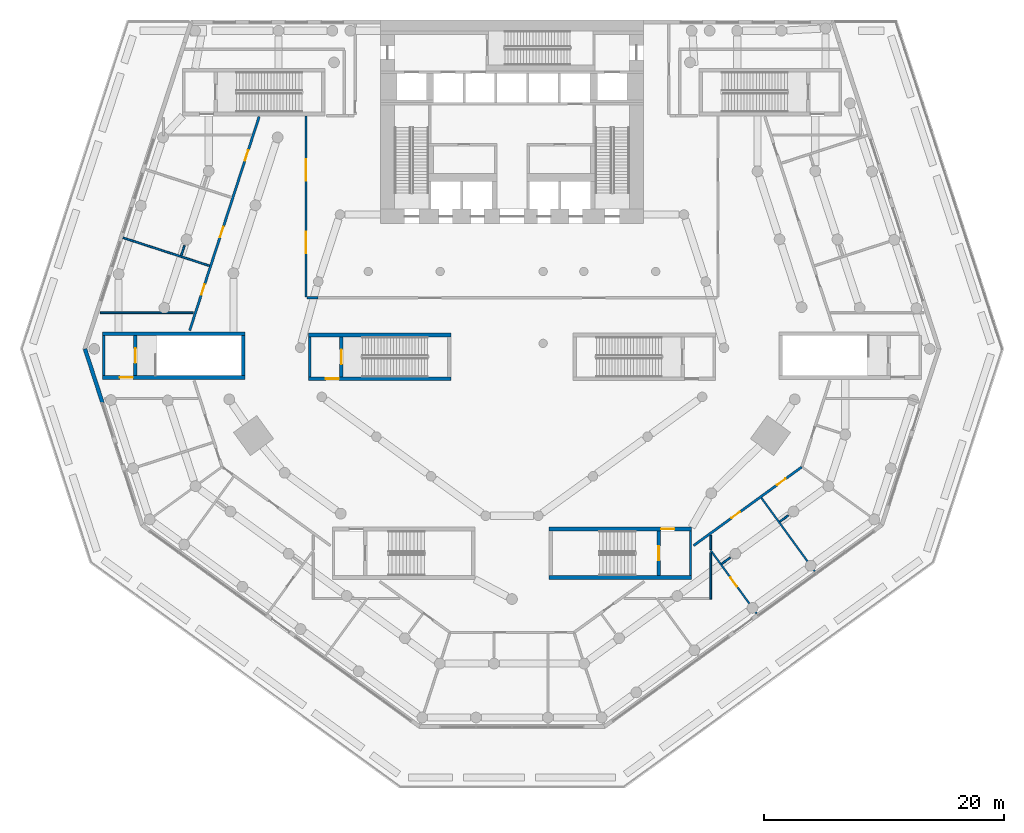
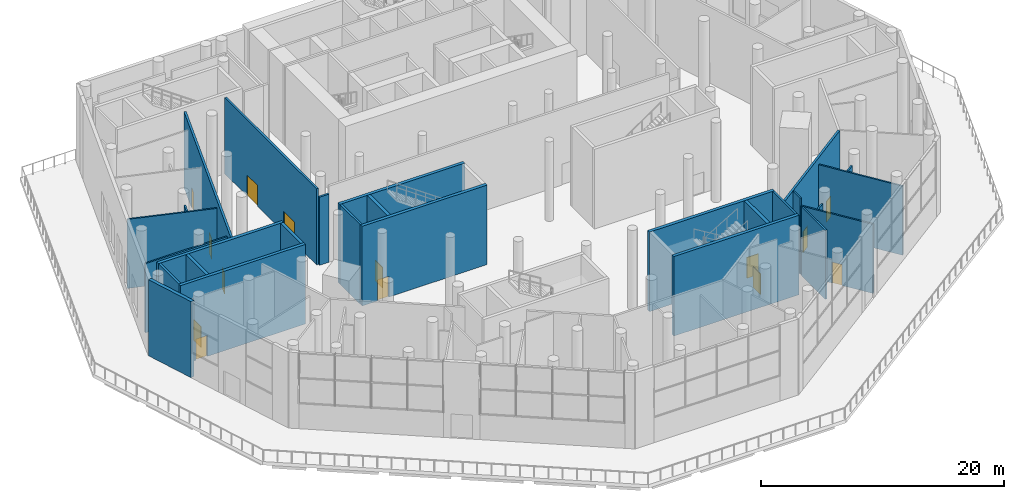
# One storey, part 12 of 23: 27 walls, 14 doors, 14 openings.
"""IFC4 building model written with IfcOpenShell, lengths in metres."""

from ifc_helpers import new_model, si_unit, direction, frame, frame_2d, origin, place, context, subcontext, project, spatial, rectangle, extrude, material, layer, layer_set, type_object, element, fill, save


model = new_model("IFC4")

# Units and contexts
model_context = context("Model", 3, precision=1e-05, world=origin(), true_north=direction((0.0, 1.0)))
body_context = subcontext(model_context, "Body", "Model", "MODEL_VIEW")
ifc_project = project(units=[si_unit("LENGTHUNIT", "METRE"), si_unit("AREAUNIT", "SQUARE_METRE"), si_unit("VOLUMEUNIT", "CUBIC_METRE"), si_unit("PLANEANGLEUNIT", "RADIAN"), si_unit("MASSUNIT", "GRAM", prefix="KILO")], contexts=[model_context])

# Site, building, storey
site_placement = place(None, origin())
site = spatial("IfcSite", under=ifc_project, at=site_placement, CompositionType="ELEMENT")
building_placement = place(site_placement, origin())
building = spatial("IfcBuilding", under=site, at=building_placement, Name="White Candle Pilgrim Tower", CompositionType="ELEMENT")
storey_placement = place(building_placement, frame((0.0, 0.0, 15.0)))
storey = spatial("IfcBuildingStorey", under=building, at=storey_placement, Name="L02", CompositionType="ELEMENT", Elevation=15.0)

# Wall
ifc_material_1 = material(Name="Autoclaved aerated block D500, plastered")
ifc_layer_1 = layer(ifc_material_1, 0.199951171875)
ifc_layer_set_1 = layer_set([ifc_layer_1], Name="Compartment wall 200 mm REI 240")
wall_type_1 = type_object("IfcWallType", Name="Compartment wall 200 mm REI 240", PredefinedType="PARTITIONING", material=ifc_layer_set_1)
wall_1_placement = place(storey_placement, frame((53.800048828125, 64.800048828125, 0.0), z_axis=(0.0, 0.0, 1.0), x_axis=(-1.0, 0.0, 0.0)))
element("IfcWall", 1, at=wall_1_placement, inside=storey, type_object=wall_type_1, Name="WL-L02-P032b", PredefinedType="PARTITIONING", context=body_context, shape_type="SweptSolid", body=[
    extrude(rectangle(XDim=0.900146484375, YDim=0.199951171875, at=frame_2d((0.4501953125, 0.0))), origin(), (0.0, 0.0, 1.0), 6.85009765625),
])

# Wall, openings, doors
wall_2_placement = place(storey_placement, frame((52.800048828125, 64.875, 0.0), z_axis=(0.0, 0.0, 1.0), x_axis=(0.0, 1.0, 0.0)))
wall_2 = element("IfcWall", 2, at=wall_2_placement, inside=storey, type_object=wall_type_1, Name="WL-L02-P033", PredefinedType="PARTITIONING", context=body_context, shape_type="SweptSolid", body=[
    extrude(rectangle(XDim=15.125, YDim=0.199951171875, at=frame_2d((7.5625, 0.0))), origin(), (0.0, 0.0, 1.0), 7.64990234375),
])
opening_1_placement = place(wall_2_placement, frame((3.637451171875, 0.0, 0.0)))
opening_1 = element("IfcOpeningElement", 3, at=opening_1_placement, cuts=wall_2, Name="Opening L02-122", PredefinedType="OPENING", context=body_context, shape_type="SweptSolid", body=[
    extrude(rectangle(XDim=1.800048828125, YDim=2.10009765625, at=frame_2d((0.89990234375, 1.050048828125))), frame((0.0, 0.10986328125, 0.0), z_axis=(0.0, -1.0, 0.0), x_axis=(1.0, 0.0, 0.0)), (0.0, 0.0, 1.0), 0.219970703125),
])
opening_2_placement = place(wall_2_placement, frame((9.6875, 0.0, 0.0)))
opening_2 = element("IfcOpeningElement", 4, at=opening_2_placement, cuts=wall_2, Name="Opening L02-123", PredefinedType="OPENING", context=body_context, shape_type="SweptSolid", body=[
    extrude(rectangle(XDim=1.800048828125, YDim=2.10009765625, at=frame_2d((0.89990234375, 1.050048828125))), frame((0.0, 0.10986328125, 0.0), z_axis=(0.0, -1.0, 0.0), x_axis=(1.0, 0.0, 0.0)), (0.0, 0.0, 1.0), 0.219970703125),
])
ifc_material_2 = material(Name="Steel door leaf", Category="steel")
door_type_1 = type_object("IfcDoorType", Name="Compartment door 1800 x 2100 EI 60", OperationType="NOTDEFINED", PredefinedType="DOOR", material=ifc_material_2)
door_1_placement = place(opening_1_placement, origin())
door_1 = element("IfcDoor", 5, at=door_1_placement, inside=storey, type_object=door_type_1, Name="Door L02-122", OperationType="DOUBLE_DOOR_SINGLE_SWING", OverallHeight=2.10009765625, OverallWidth=1.800048828125, PredefinedType="DOOR", context=body_context, shape_type="SweptSolid", body=[
    extrude(rectangle(XDim=1.800048828125, YDim=2.10009765625, at=frame_2d((0.89990234375, 1.050048828125))), frame((0.0, 0.02490234375, 0.0), z_axis=(0.0, -1.0, 0.0), x_axis=(1.0, 0.0, 0.0)), (0.0, 0.0, 1.0), 0.050048828125),
])
fill(opening_1, door_1)
door_2_placement = place(opening_2_placement, origin())
door_2 = element("IfcDoor", 6, at=door_2_placement, inside=storey, type_object=door_type_1, Name="Door L02-123", OperationType="DOUBLE_DOOR_SINGLE_SWING", OverallHeight=2.10009765625, OverallWidth=1.800048828125, PredefinedType="DOOR", context=body_context, shape_type="SweptSolid", body=[
    extrude(rectangle(XDim=1.800048828125, YDim=2.10009765625, at=frame_2d((0.89990234375, 1.050048828125))), frame((0.0, 0.02490234375, 0.0), z_axis=(0.0, -1.0, 0.0), x_axis=(1.0, 0.0, 0.0)), (0.0, 0.0, 1.0), 0.050048828125),
])
fill(opening_2, door_2)

# Walls
ifc_material_3 = material(Name="Concrete C70/85", Category="concrete")
ifc_layer_2 = layer(ifc_material_3, 0.199951171875)
ifc_layer_set_2 = layer_set([ifc_layer_2], Name="Core wall 200 mm Concrete C70/85")
wall_type_2 = type_object("IfcWallType", Name="Core wall 200 mm Concrete C70/85", PredefinedType="SHEAR", material=ifc_layer_set_2)
wall_3_placement = place(storey_placement, frame((84.89990234375, 41.60009765625, 0.0), z_axis=(0.0, 0.0, 1.0), x_axis=(0.0, 1.0, 0.0)))
element("IfcWall", 7, at=wall_3_placement, inside=storey, type_object=wall_type_2, Name="WL-L02-C08", PredefinedType="SHEAR", context=body_context, shape_type="SweptSolid", body=[
    extrude(rectangle(XDim=3.75, YDim=0.199951171875, at=frame_2d((1.875, 0.0))), origin(), (0.0, 0.0, 1.0), 8.0),
])
wall_4_placement = place(storey_placement, frame((53.10009765625, 58.199951171875, 0.0), z_axis=(0.0, 0.0, 1.0), x_axis=(0.0, 1.0, 0.0)))
element("IfcWall", 8, at=wall_4_placement, inside=storey, type_object=wall_type_2, Name="WL-L02-C15", PredefinedType="SHEAR", context=body_context, shape_type="SweptSolid", body=[
    extrude(rectangle(XDim=3.35009765625, YDim=0.199951171875, at=frame_2d((1.675048828125, 0.0))), origin(), (0.0, 0.0, 1.0), 8.0),
])
wall_5_placement = place(storey_placement, frame((35.89990234375, 58.300048828125, 0.0), z_axis=(0.0, 0.0, 1.0), x_axis=(0.0, 1.0, 0.0)))
element("IfcWall", 9, at=wall_5_placement, inside=storey, type_object=wall_type_2, Name="WL-L02-C21", PredefinedType="SHEAR", context=body_context, shape_type="SweptSolid", body=[
    extrude(rectangle(XDim=3.349853515625, YDim=0.199951171875, at=frame_2d((1.6748046875, 0.0))), origin(), (0.0, 0.0, 1.0), 8.0),
])
ifc_material_4 = material(Name="Precast concrete C40/50", Category="concrete")
ifc_layer_3 = layer(ifc_material_4, 0.320068359375)
ifc_layer_set_3 = layer_set([ifc_layer_3], Name="Facade wall EW3 precast concrete C40/50 and stone-faced podium wall")
wall_type_3 = type_object("IfcWallType", Name="Facade wall EW3 precast concrete C40/50 and stone-faced podium wall", PredefinedType="SOLIDWALL", material=ifc_layer_set_3)
wall_6_placement = place(storey_placement, frame((34.345458984375, 60.5390625, 0.0), z_axis=(0.0, 0.0, 1.0), x_axis=(0.309012484204, -0.951057981727, 0.0)))
element("IfcWall", 10, at=wall_6_placement, inside=storey, type_object=wall_type_3, Name="Facade wall L02 W chamfer", PredefinedType="SOLIDWALL", context=body_context, shape_type="SweptSolid", body=[
    extrude(rectangle(XDim=4.72607421875, YDim=0.320068359375, at=frame_2d((2.363037109375, 0.0))), origin(), (0.0, 0.0, 1.0), 7.64990234375),
])

# Wall, openings, doors
ifc_layer_4 = layer(ifc_material_1, 0.199951171875)
ifc_layer_set_4 = layer_set([ifc_layer_4], Name="Hall enclosure wall 200 mm REI 240")
wall_type_4 = type_object("IfcWallType", Name="Hall enclosure wall 200 mm REI 240", PredefinedType="PARTITIONING", material=ifc_layer_set_4)
wall_7_placement = place(storey_placement, frame((43.08984375, 62.080810546875, 0.0), z_axis=(0.0, 0.0, 1.0), x_axis=(0.309014892187, 0.951057199335, 0.0)))
wall_7 = element("IfcWall", 11, at=wall_7_placement, inside=storey, type_object=wall_type_4, Name="WL-L02-P004", PredefinedType="PARTITIONING", context=body_context, shape_type="SweptSolid", body=[
    extrude(rectangle(XDim=18.768798828125, YDim=0.199951171875, at=frame_2d((9.38427734375, 0.0))), origin(), (0.0, 0.0, 1.0), 7.64990234375),
])
opening_3_placement = place(wall_7_placement, frame((14.92578125, 0.0, 0.0)))
opening_3 = element("IfcOpeningElement", 12, at=opening_3_placement, cuts=wall_7, Name="Opening L02-101", PredefinedType="OPENING", context=body_context, shape_type="SweptSolid", body=[
    extrude(rectangle(XDim=0.89990234375, YDim=2.10009765625, at=frame_2d((0.449951171875, 1.050048828125))), frame((0.0, 0.10986328125, 0.0), z_axis=(0.0, -1.0, 0.0), x_axis=(1.0, 0.0, 0.0)), (0.0, 0.0, 1.0), 0.219970703125),
])
opening_4_placement = place(wall_7_placement, frame((8.19091796875, 0.0, 0.0)))
opening_4 = element("IfcOpeningElement", 13, at=opening_4_placement, cuts=wall_7, Name="Opening L02-102", PredefinedType="OPENING", context=body_context, shape_type="SweptSolid", body=[
    extrude(rectangle(XDim=0.89990234375, YDim=2.10009765625, at=frame_2d((0.449951171875, 1.050048828125))), frame((0.0, 0.10986328125, 0.0), z_axis=(0.0, -1.0, 0.0), x_axis=(1.0, 0.0, 0.0)), (0.0, 0.0, 1.0), 0.219970703125),
])
opening_5_placement = place(wall_7_placement, frame((3.142578125, 0.0, 0.0)))
opening_5 = element("IfcOpeningElement", 14, at=opening_5_placement, cuts=wall_7, Name="Opening L02-103", PredefinedType="OPENING", context=body_context, shape_type="SweptSolid", body=[
    extrude(rectangle(XDim=0.89990234375, YDim=2.10009765625, at=frame_2d((0.449951171875, 1.050048828125))), frame((0.0, 0.10986328125, 0.0), z_axis=(0.0, -1.0, 0.0), x_axis=(1.0, 0.0, 0.0)), (0.0, 0.0, 1.0), 0.219970703125),
])
door_type_2 = type_object("IfcDoorType", Name="Fire door 900 x 2100 EI 60", OperationType="NOTDEFINED", PredefinedType="DOOR", material=ifc_material_2)
door_3_placement = place(opening_3_placement, origin())
door_3 = element("IfcDoor", 15, at=door_3_placement, inside=storey, type_object=door_type_2, Name="Door L02-101", OperationType="SINGLE_SWING_LEFT", OverallHeight=2.10009765625, OverallWidth=0.89990234375, PredefinedType="DOOR", context=body_context, shape_type="SweptSolid", body=[
    extrude(rectangle(XDim=0.89990234375, YDim=2.10009765625, at=frame_2d((0.449951171875, 1.050048828125))), frame((0.0, 0.02490234375, 0.0), z_axis=(0.0, -1.0, 0.0), x_axis=(1.0, 0.0, 0.0)), (0.0, 0.0, 1.0), 0.050048828125),
])
fill(opening_3, door_3)
door_4_placement = place(opening_4_placement, origin())
door_4 = element("IfcDoor", 16, at=door_4_placement, inside=storey, type_object=door_type_2, Name="Door L02-102", OperationType="SINGLE_SWING_RIGHT", OverallHeight=2.10009765625, OverallWidth=0.89990234375, PredefinedType="DOOR", context=body_context, shape_type="SweptSolid", body=[
    extrude(rectangle(XDim=0.89990234375, YDim=2.10009765625, at=frame_2d((0.449951171875, 1.050048828125))), frame((0.0, 0.02490234375, 0.0), z_axis=(0.0, -1.0, 0.0), x_axis=(1.0, 0.0, 0.0)), (0.0, 0.0, 1.0), 0.050048828125),
])
fill(opening_4, door_4)
door_5_placement = place(opening_5_placement, origin())
door_5 = element("IfcDoor", 17, at=door_5_placement, inside=storey, type_object=door_type_2, Name="Door L02-103", OperationType="SINGLE_SWING_LEFT", OverallHeight=2.10009765625, OverallWidth=0.89990234375, PredefinedType="DOOR", context=body_context, shape_type="SweptSolid", body=[
    extrude(rectangle(XDim=0.89990234375, YDim=2.10009765625, at=frame_2d((0.449951171875, 1.050048828125))), frame((0.0, 0.02490234375, 0.0), z_axis=(0.0, -1.0, 0.0), x_axis=(1.0, 0.0, 0.0)), (0.0, 0.0, 1.0), 0.050048828125),
])
fill(opening_5, door_5)

wall_8_placement = place(storey_placement, frame((94.18408203125, 50.6689453125, 0.0), z_axis=(0.0, 0.0, 1.0), x_axis=(-0.809025571226, -0.587773447089, 0.0)))
wall_8 = element("IfcWall", 18, at=wall_8_placement, inside=storey, type_object=wall_type_4, Name="WL-L02-P011", PredefinedType="PARTITIONING", context=body_context, shape_type="SweptSolid", body=[
    extrude(rectangle(XDim=11.15576171875, YDim=0.199951171875, at=frame_2d((5.577880859375, 0.0))), origin(), (0.0, 0.0, 1.0), 7.64990234375),
])
opening_6_placement = place(wall_8_placement, frame((6.35205078125, 0.0, 0.0)))
opening_6 = element("IfcOpeningElement", 19, at=opening_6_placement, cuts=wall_8, Name="Opening L02-112", PredefinedType="OPENING", context=body_context, shape_type="SweptSolid", body=[
    extrude(rectangle(XDim=0.89990234375, YDim=2.10009765625, at=frame_2d((0.449951171875, 1.050048828125))), frame((0.0, 0.10986328125, 0.0), z_axis=(0.0, -1.0, 0.0), x_axis=(1.0, 0.0, 0.0)), (0.0, 0.0, 1.0), 0.219970703125),
])
opening_7_placement = place(wall_8_placement, frame((1.648681640625, 0.0, 0.0)))
opening_7 = element("IfcOpeningElement", 20, at=opening_7_placement, cuts=wall_8, Name="Opening L02-113", PredefinedType="OPENING", context=body_context, shape_type="SweptSolid", body=[
    extrude(rectangle(XDim=0.89990234375, YDim=2.10009765625, at=frame_2d((0.449951171875, 1.050048828125))), frame((0.0, 0.10986328125, 0.0), z_axis=(0.0, -1.0, 0.0), x_axis=(1.0, 0.0, 0.0)), (0.0, 0.0, 1.0), 0.219970703125),
])
door_6_placement = place(opening_6_placement, origin())
door_6 = element("IfcDoor", 21, at=door_6_placement, inside=storey, type_object=door_type_2, Name="Door L02-112", OperationType="SINGLE_SWING_RIGHT", OverallHeight=2.10009765625, OverallWidth=0.89990234375, PredefinedType="DOOR", context=body_context, shape_type="SweptSolid", body=[
    extrude(rectangle(XDim=0.89990234375, YDim=2.10009765625, at=frame_2d((0.449951171875, 1.050048828125))), frame((0.0, 0.02490234375, 0.0), z_axis=(0.0, -1.0, 0.0), x_axis=(1.0, 0.0, 0.0)), (0.0, 0.0, 1.0), 0.050048828125),
])
fill(opening_6, door_6)
door_7_placement = place(opening_7_placement, origin())
door_7 = element("IfcDoor", 22, at=door_7_placement, inside=storey, type_object=door_type_2, Name="Door L02-113", OperationType="SINGLE_SWING_LEFT", OverallHeight=2.10009765625, OverallWidth=0.89990234375, PredefinedType="DOOR", context=body_context, shape_type="SweptSolid", body=[
    extrude(rectangle(XDim=0.89990234375, YDim=2.10009765625, at=frame_2d((0.449951171875, 1.050048828125))), frame((0.0, 0.02490234375, 0.0), z_axis=(0.0, -1.0, 0.0), x_axis=(1.0, 0.0, 0.0)), (0.0, 0.0, 1.0), 0.050048828125),
])
fill(opening_7, door_7)

# Wall
ifc_material_5 = material(Name="Gypsum board on steel studs", Category="steel")
ifc_layer_5 = layer(ifc_material_5, 0.14990234375)
ifc_layer_set_5 = layer_set([ifc_layer_5], Name="Partition 150 mm EI 60")
wall_type_5 = type_object("IfcWallType", Name="Partition 150 mm EI 60", PredefinedType="PARTITIONING", material=ifc_layer_set_5)
wall_9_placement = place(storey_placement, frame((37.52880859375, 69.81884765625, 0.0), z_axis=(0.0, 0.0, 1.0), x_axis=(0.951058681979, -0.309010329007, 0.0)))
element("IfcWall", 23, at=wall_9_placement, inside=storey, type_object=wall_type_5, Name="WL-L02-P019", PredefinedType="PARTITIONING", context=body_context, shape_type="SweptSolid", body=[
    extrude(rectangle(XDim=7.580078125, YDim=0.14990234375, at=frame_2d((3.7900390625, 0.0))), origin(), (0.0, 0.0, 1.0), 6.949951171875),
])

# Wall, opening, door
wall_10_placement = place(storey_placement, frame((90.42236328125, 38.443115234375, 0.0), z_axis=(0.0, 0.0, 1.0), x_axis=(-0.587778742149, 0.809021724231, 0.0)))
wall_10 = element("IfcWall", 24, at=wall_10_placement, inside=storey, type_object=wall_type_5, Name="WL-L02-P026", PredefinedType="PARTITIONING", context=body_context, shape_type="SweptSolid", body=[
    extrude(rectangle(XDim=6.5029296875, YDim=0.14990234375, at=frame_2d((3.25146484375, 0.0))), origin(), (0.0, 0.0, 1.0), 6.949951171875),
])
opening_8_placement = place(wall_10_placement, frame((2.801513671875, 0.0, 0.0)))
opening_8 = element("IfcOpeningElement", 25, at=opening_8_placement, cuts=wall_10, Name="Opening L02-127", PredefinedType="OPENING", context=body_context, shape_type="SweptSolid", body=[
    extrude(rectangle(XDim=0.89990234375, YDim=2.10009765625, at=frame_2d((0.449951171875, 1.050048828125))), frame((0.0, 0.0849609375, 0.0), z_axis=(0.0, -1.0, 0.0), x_axis=(1.0, 0.0, 0.0)), (0.0, 0.0, 1.0), 0.169921875),
])
door_type_3 = type_object("IfcDoorType", Name="Fire door 900 x 2100 EI 30", OperationType="NOTDEFINED", PredefinedType="DOOR", material=ifc_material_2)
door_8_placement = place(opening_8_placement, origin())
door_8 = element("IfcDoor", 26, at=door_8_placement, inside=storey, type_object=door_type_3, Name="Door L02-127", OperationType="SINGLE_SWING_LEFT", OverallHeight=2.10009765625, OverallWidth=0.89990234375, PredefinedType="DOOR", context=body_context, shape_type="SweptSolid", body=[
    extrude(rectangle(XDim=0.89990234375, YDim=2.10009765625, at=frame_2d((0.449951171875, 1.050048828125))), frame((0.0, 0.02490234375, 0.0), z_axis=(0.0, -1.0, 0.0), x_axis=(1.0, 0.0, 0.0)), (0.0, 0.0, 1.0), 0.050048828125),
])
fill(opening_8, door_8)

# Walls
wall_11_placement = place(storey_placement, frame((95.2763671875, 41.9697265625, 0.0), z_axis=(0.0, 0.0, 1.0), x_axis=(-0.587779028788, 0.809021515979, 0.0)))
element("IfcWall", 27, at=wall_11_placement, inside=storey, type_object=wall_type_5, Name="WL-L02-P027", PredefinedType="PARTITIONING", context=body_context, shape_type="SweptSolid", body=[
    extrude(rectangle(XDim=7.579833984375, YDim=0.14990234375, at=frame_2d((3.7900390625, 0.0))), origin(), (0.0, 0.0, 1.0), 6.949951171875),
])
for number, where, z_axis, x_axis, name in (
    (28, (88.219970703125, 43.107421875, 0.0), (0.0, 0.0, 1.0), (-0.809141502874, -0.587613842865, 0.0), "WL-L02-P039"),
    (29, (93.073974609375, 46.634521484375, 0.0), (0.0, 0.0, 1.0), (-0.809010335679, -0.587794417092, 0.0), "WL-L02-P040"),
):
    element("IfcWall", number, at=place(storey_placement, frame(where, z_axis=z_axis, x_axis=x_axis)), inside=storey, type_object=wall_type_5, Name=name, PredefinedType="PARTITIONING", context=body_context, shape_type="SweptSolid", body=[
        extrude(rectangle(XDim=0.885009765625, YDim=0.14990234375, at=frame_2d((0.4423828125, 0.0))), origin(), (0.0, 0.0, 1.0), 6.949951171875),
    ])
wall_12_placement = place(storey_placement, frame((42.65283203125, 69.163818359375, 0.0), z_axis=(0.0, 0.0, 1.0), x_axis=(-0.309104777097, -0.951027989481, 0.0)))
element("IfcWall", 30, at=wall_12_placement, inside=storey, type_object=wall_type_5, Name="WL-L02-P045", PredefinedType="PARTITIONING", context=body_context, shape_type="SweptSolid", body=[
    extrude(rectangle(XDim=0.885498046875, YDim=0.14990234375, at=frame_2d((0.44287109375, 0.0))), origin(), (0.0, 0.0, 1.0), 6.949951171875),
])
wall_13_placement = place(storey_placement, frame((43.39892578125, 63.550048828125, 0.0), z_axis=(0.0, 0.0, 1.0), x_axis=(-1.0, 0.0, 0.0)))
element("IfcWall", 31, at=wall_13_placement, inside=storey, type_object=wall_type_5, Name="WL-L02-P051", PredefinedType="PARTITIONING", context=body_context, shape_type="SweptSolid", body=[
    extrude(rectangle(XDim=7.770263671875, YDim=0.14990234375, at=frame_2d((3.88525390625, 0.0))), origin(), (0.0, 0.0, 1.0), 6.949951171875),
])
wall_14_placement = place(storey_placement, frame((86.60009765625, 43.7783203125, 0.0), z_axis=(0.0, 0.0, 1.0), x_axis=(0.0, 1.0, 0.0)))
element("IfcWall", 32, at=wall_14_placement, inside=storey, type_object=wall_type_5, Name="WL-L02-P062", PredefinedType="PARTITIONING", context=body_context, shape_type="SweptSolid", body=[
    extrude(rectangle(XDim=1.182861328125, YDim=0.14990234375, at=frame_2d((0.59130859375, 0.0))), origin(), (0.0, 0.0, 1.0), 7.64990234375),
])
wall_15_placement = place(storey_placement, frame((86.60009765625, 39.639892578125, 0.0), z_axis=(0.0, 0.0, 1.0), x_axis=(0.0, 1.0, 0.0)))
element("IfcWall", 33, at=wall_15_placement, inside=storey, type_object=wall_type_5, Name="WL-L02-P064", PredefinedType="PARTITIONING", context=body_context, shape_type="SweptSolid", body=[
    extrude(rectangle(XDim=3.894287109375, YDim=0.14990234375, at=frame_2d((1.947265625, 0.0))), origin(), (0.0, 0.0, 1.0), 6.949951171875),
])
ifc_layer_6 = layer(ifc_material_3, 0.300048828125)
ifc_layer_set_6 = layer_set([ifc_layer_6], Name="Stair shaft wall 300 mm Concrete C70/85")
wall_type_6 = type_object("IfcWallType", Name="Stair shaft wall 300 mm Concrete C70/85", PredefinedType="SHEAR", material=ifc_layer_set_6)
wall_16_placement = place(storey_placement, frame((73.10009765625, 41.449951171875, 0.0), z_axis=(0.0, 0.0, 1.0), x_axis=(1.0, 0.0, 0.0)))
element("IfcWall", 34, at=wall_16_placement, inside=storey, type_object=wall_type_6, Name="WL-L02-C02", PredefinedType="SHEAR", context=body_context, shape_type="SweptSolid", body=[
    extrude(rectangle(XDim=11.89990234375, YDim=0.300048828125, at=frame_2d((5.949951171875, 0.0))), origin(), (0.0, 0.0, 1.0), 8.0),
])

# Wall, opening, door
wall_17_placement = place(storey_placement, frame((82.25, 41.60009765625, 0.0), z_axis=(0.0, 0.0, 1.0), x_axis=(0.0, 1.0, 0.0)))
wall_17 = element("IfcWall", 35, at=wall_17_placement, inside=storey, type_object=wall_type_6, Name="WL-L02-C07", PredefinedType="SHEAR", context=body_context, shape_type="SweptSolid", body=[
    extrude(rectangle(XDim=3.75, YDim=0.300048828125, at=frame_2d((1.875, 0.0))), origin(), (0.0, 0.0, 1.0), 8.0),
])
opening_9_placement = place(wall_17_placement, frame((1.27490234375, 0.0, 0.0)))
opening_9 = element("IfcOpeningElement", 36, at=opening_9_placement, cuts=wall_17, Name="Opening L02-014", PredefinedType="OPENING", context=body_context, shape_type="SweptSolid", body=[
    extrude(rectangle(XDim=1.199951171875, YDim=2.10009765625, at=frame_2d((0.60009765625, 1.050048828125))), frame((0.0, 0.159912109375, 0.0), z_axis=(0.0, -1.0, 0.0), x_axis=(1.0, 0.0, 0.0)), (0.0, 0.0, 1.0), 0.320068359375),
])
door_type_4 = type_object("IfcDoorType", Name="Fire door 1200 x 2100 EI 60", OperationType="NOTDEFINED", PredefinedType="DOOR", material=ifc_material_2)
door_9_placement = place(opening_9_placement, origin())
door_9 = element("IfcDoor", 37, at=door_9_placement, inside=storey, type_object=door_type_4, Name="Door L02-014", OperationType="SINGLE_SWING_RIGHT", OverallHeight=2.10009765625, OverallWidth=1.199951171875, PredefinedType="DOOR", context=body_context, shape_type="SweptSolid", body=[
    extrude(rectangle(XDim=1.199951171875, YDim=2.10009765625, at=frame_2d((0.60009765625, 1.050048828125))), frame((0.0, 0.02490234375, 0.0), z_axis=(0.0, -1.0, 0.0), x_axis=(1.0, 0.0, 0.0)), (0.0, 0.0, 1.0), 0.050048828125),
])
fill(opening_9, door_9)

wall_18_placement = place(storey_placement, frame((73.10009765625, 45.5, 0.0), z_axis=(0.0, 0.0, 1.0), x_axis=(1.0, 0.0, 0.0)))
wall_18 = element("IfcWall", 38, at=wall_18_placement, inside=storey, type_object=wall_type_6, Name="WL-L02-C10", PredefinedType="SHEAR", context=body_context, shape_type="SweptSolid", body=[
    extrude(rectangle(XDim=11.89990234375, YDim=0.300048828125, at=frame_2d((5.949951171875, 0.0))), origin(), (0.0, 0.0, 1.0), 8.0),
])
opening_10_placement = place(wall_18_placement, frame((9.35009765625, 0.0, 0.0)))
opening_10 = element("IfcOpeningElement", 39, at=opening_10_placement, cuts=wall_18, Name="Opening L02-013", PredefinedType="OPENING", context=body_context, shape_type="SweptSolid", body=[
    extrude(rectangle(XDim=1.10009765625, YDim=2.10009765625, at=frame_2d((0.550048828125, 1.050048828125))), frame((0.0, 0.159912109375, 0.0), z_axis=(0.0, -1.0, 0.0), x_axis=(1.0, 0.0, 0.0)), (0.0, 0.0, 1.0), 0.320068359375),
])
door_type_5 = type_object("IfcDoorType", Name="Fire door 1100 x 2100 EI 60", OperationType="NOTDEFINED", PredefinedType="DOOR", material=ifc_material_2)
door_10_placement = place(opening_10_placement, frame((1.10009765625, 0.0, 0.0), z_axis=(0.0, 0.0, 1.0), x_axis=(-1.0, 0.0, 0.0)))
door_10 = element("IfcDoor", 40, at=door_10_placement, inside=storey, type_object=door_type_5, Name="Door L02-013", OperationType="SINGLE_SWING_RIGHT", OverallHeight=2.10009765625, OverallWidth=1.10009765625, PredefinedType="DOOR", context=body_context, shape_type="SweptSolid", body=[
    extrude(rectangle(XDim=1.10009765625, YDim=2.10009765625, at=frame_2d((0.550048828125, 1.050048828125))), frame((0.0, 0.02490234375, 0.0), z_axis=(0.0, -1.0, 0.0), x_axis=(1.0, 0.0, 0.0)), (0.0, 0.0, 1.0), 0.050048828125),
])
fill(opening_10, door_10)

wall_19_placement = place(storey_placement, frame((53.0, 58.050048828125, 0.0), z_axis=(0.0, 0.0, 1.0), x_axis=(1.0, 0.0, 0.0)))
wall_19 = element("IfcWall", 41, at=wall_19_placement, inside=storey, type_object=wall_type_6, Name="WL-L02-C11", PredefinedType="SHEAR", context=body_context, shape_type="SweptSolid", body=[
    extrude(rectangle(XDim=11.89990234375, YDim=0.300048828125, at=frame_2d((5.949951171875, 0.0))), origin(), (0.0, 0.0, 1.0), 8.0),
])
opening_11_placement = place(wall_19_placement, frame((1.449951171875, 0.0, 0.0)))
opening_11 = element("IfcOpeningElement", 42, at=opening_11_placement, cuts=wall_19, Name="Opening L02-007", PredefinedType="OPENING", context=body_context, shape_type="SweptSolid", body=[
    extrude(rectangle(XDim=1.10009765625, YDim=2.10009765625, at=frame_2d((0.550048828125, 1.050048828125))), frame((0.0, 0.159912109375, 0.0), z_axis=(0.0, -1.0, 0.0), x_axis=(1.0, 0.0, 0.0)), (0.0, 0.0, 1.0), 0.320068359375),
])
door_11_placement = place(opening_11_placement, origin())
door_11 = element("IfcDoor", 43, at=door_11_placement, inside=storey, type_object=door_type_5, Name="Door L02-007", OperationType="SINGLE_SWING_LEFT", OverallHeight=2.10009765625, OverallWidth=1.10009765625, PredefinedType="DOOR", context=body_context, shape_type="SweptSolid", body=[
    extrude(rectangle(XDim=1.10009765625, YDim=2.10009765625, at=frame_2d((0.550048828125, 1.050048828125))), frame((0.0, 0.02490234375, 0.0), z_axis=(0.0, -1.0, 0.0), x_axis=(1.0, 0.0, 0.0)), (0.0, 0.0, 1.0), 0.050048828125),
])
fill(opening_11, door_11)

wall_20_placement = place(storey_placement, frame((35.800048828125, 58.14990234375, 0.0), z_axis=(0.0, 0.0, 1.0), x_axis=(1.0, 0.0, 0.0)))
wall_20 = element("IfcWall", 44, at=wall_20_placement, inside=storey, type_object=wall_type_6, Name="WL-L02-C13", PredefinedType="SHEAR", context=body_context, shape_type="SweptSolid", body=[
    extrude(rectangle(XDim=11.89990234375, YDim=0.300048828125, at=frame_2d((5.949951171875, 0.0))), origin(), (0.0, 0.0, 1.0), 8.0),
])
opening_12_placement = place(wall_20_placement, frame((1.449951171875, 0.0, 0.0)))
opening_12 = element("IfcOpeningElement", 45, at=opening_12_placement, cuts=wall_20, Name="Opening L02-015", PredefinedType="OPENING", context=body_context, shape_type="SweptSolid", body=[
    extrude(rectangle(XDim=1.10009765625, YDim=2.10009765625, at=frame_2d((0.550048828125, 1.050048828125))), frame((0.0, 0.159912109375, 0.0), z_axis=(0.0, -1.0, 0.0), x_axis=(1.0, 0.0, 0.0)), (0.0, 0.0, 1.0), 0.320068359375),
])
door_12_placement = place(opening_12_placement, origin())
door_12 = element("IfcDoor", 46, at=door_12_placement, inside=storey, type_object=door_type_5, Name="Door L02-015", OperationType="SINGLE_SWING_LEFT", OverallHeight=2.10009765625, OverallWidth=1.10009765625, PredefinedType="DOOR", context=body_context, shape_type="SweptSolid", body=[
    extrude(rectangle(XDim=1.10009765625, YDim=2.10009765625, at=frame_2d((0.550048828125, 1.050048828125))), frame((0.0, 0.02490234375, 0.0), z_axis=(0.0, -1.0, 0.0), x_axis=(1.0, 0.0, 0.0)), (0.0, 0.0, 1.0), 0.050048828125),
])
fill(opening_12, door_12)

wall_21_placement = place(storey_placement, frame((55.75, 58.199951171875, 0.0), z_axis=(0.0, 0.0, 1.0), x_axis=(0.0, 1.0, 0.0)))
wall_21 = element("IfcWall", 47, at=wall_21_placement, inside=storey, type_object=wall_type_6, Name="WL-L02-C16", PredefinedType="SHEAR", context=body_context, shape_type="SweptSolid", body=[
    extrude(rectangle(XDim=3.35009765625, YDim=0.300048828125, at=frame_2d((1.675048828125, 0.0))), origin(), (0.0, 0.0, 1.0), 8.0),
])
opening_13_placement = place(wall_21_placement, frame((1.074951171875, 0.0, 0.0)))
opening_13 = element("IfcOpeningElement", 48, at=opening_13_placement, cuts=wall_21, Name="Opening L02-008", PredefinedType="OPENING", context=body_context, shape_type="SweptSolid", body=[
    extrude(rectangle(XDim=1.199951171875, YDim=2.10009765625, at=frame_2d((0.60009765625, 1.050048828125))), frame((0.0, 0.159912109375, 0.0), z_axis=(0.0, -1.0, 0.0), x_axis=(1.0, 0.0, 0.0)), (0.0, 0.0, 1.0), 0.320068359375),
])
door_13_placement = place(opening_13_placement, frame((1.199951171875, 0.0, 0.0), z_axis=(0.0, 0.0, 1.0), x_axis=(-1.0, 0.0, 0.0)))
door_13 = element("IfcDoor", 49, at=door_13_placement, inside=storey, type_object=door_type_4, Name="Door L02-008", OperationType="SINGLE_SWING_LEFT", OverallHeight=2.10009765625, OverallWidth=1.199951171875, PredefinedType="DOOR", context=body_context, shape_type="SweptSolid", body=[
    extrude(rectangle(XDim=1.199951171875, YDim=2.10009765625, at=frame_2d((0.60009765625, 1.050048828125))), frame((0.0, 0.02490234375, 0.0), z_axis=(0.0, -1.0, 0.0), x_axis=(1.0, 0.0, 0.0)), (0.0, 0.0, 1.0), 0.050048828125),
])
fill(opening_13, door_13)

wall_22_placement = place(storey_placement, frame((38.550048828125, 58.300048828125, 0.0), z_axis=(0.0, 0.0, 1.0), x_axis=(0.0, 1.0, 0.0)))
wall_22 = element("IfcWall", 50, at=wall_22_placement, inside=storey, type_object=wall_type_6, Name="WL-L02-C22", PredefinedType="SHEAR", context=body_context, shape_type="SweptSolid", body=[
    extrude(rectangle(XDim=3.349853515625, YDim=0.300048828125, at=frame_2d((1.6748046875, 0.0))), origin(), (0.0, 0.0, 1.0), 8.0),
])
opening_14_placement = place(wall_22_placement, frame((1.074951171875, 0.0, 0.0)))
opening_14 = element("IfcOpeningElement", 51, at=opening_14_placement, cuts=wall_22, Name="Opening L02-016", PredefinedType="OPENING", context=body_context, shape_type="SweptSolid", body=[
    extrude(rectangle(XDim=1.199951171875, YDim=2.10009765625, at=frame_2d((0.60009765625, 1.050048828125))), frame((0.0, 0.159912109375, 0.0), z_axis=(0.0, -1.0, 0.0), x_axis=(1.0, 0.0, 0.0)), (0.0, 0.0, 1.0), 0.320068359375),
])
door_14_placement = place(opening_14_placement, frame((1.199951171875, 0.0, 0.0), z_axis=(0.0, 0.0, 1.0), x_axis=(-1.0, 0.0, 0.0)))
door_14 = element("IfcDoor", 52, at=door_14_placement, inside=storey, type_object=door_type_4, Name="Door L02-016", OperationType="SINGLE_SWING_LEFT", OverallHeight=2.10009765625, OverallWidth=1.199951171875, PredefinedType="DOOR", context=body_context, shape_type="SweptSolid", body=[
    extrude(rectangle(XDim=1.199951171875, YDim=2.10009765625, at=frame_2d((0.60009765625, 1.050048828125))), frame((0.0, 0.02490234375, 0.0), z_axis=(0.0, -1.0, 0.0), x_axis=(1.0, 0.0, 0.0)), (0.0, 0.0, 1.0), 0.050048828125),
])
fill(opening_14, door_14)

# Walls
wall_23_placement = place(storey_placement, frame((47.550048828125, 58.300048828125, 0.0), z_axis=(0.0, 0.0, 1.0), x_axis=(0.0, 1.0, 0.0)))
element("IfcWall", 53, at=wall_23_placement, inside=storey, type_object=wall_type_6, Name="WL-L02-C23", PredefinedType="SHEAR", context=body_context, shape_type="SweptSolid", body=[
    extrude(rectangle(XDim=3.349853515625, YDim=0.300048828125, at=frame_2d((1.6748046875, 0.0))), origin(), (0.0, 0.0, 1.0), 8.0),
])
for number, where, z_axis, x_axis, name in (
    (54, (53.0, 61.699951171875, 0.0), (0.0, 0.0, 1.0), (1.0, 0.0, 0.0), "WL-L02-C27"),
    (55, (35.800048828125, 61.800048828125, 0.0), (0.0, 0.0, 1.0), (1.0, 0.0, 0.0), "WL-L02-C29"),
):
    element("IfcWall", number, at=place(storey_placement, frame(where, z_axis=z_axis, x_axis=x_axis)), inside=storey, type_object=wall_type_6, Name=name, PredefinedType="SHEAR", context=body_context, shape_type="SweptSolid", body=[
        extrude(rectangle(XDim=11.89990234375, YDim=0.300048828125, at=frame_2d((5.949951171875, 0.0))), origin(), (0.0, 0.0, 1.0), 8.0),
    ])

save(model, "model.ifc")
